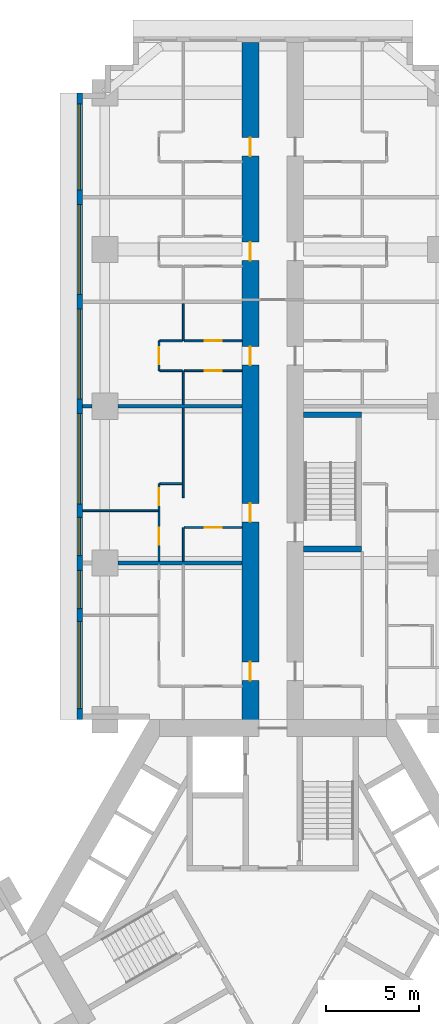
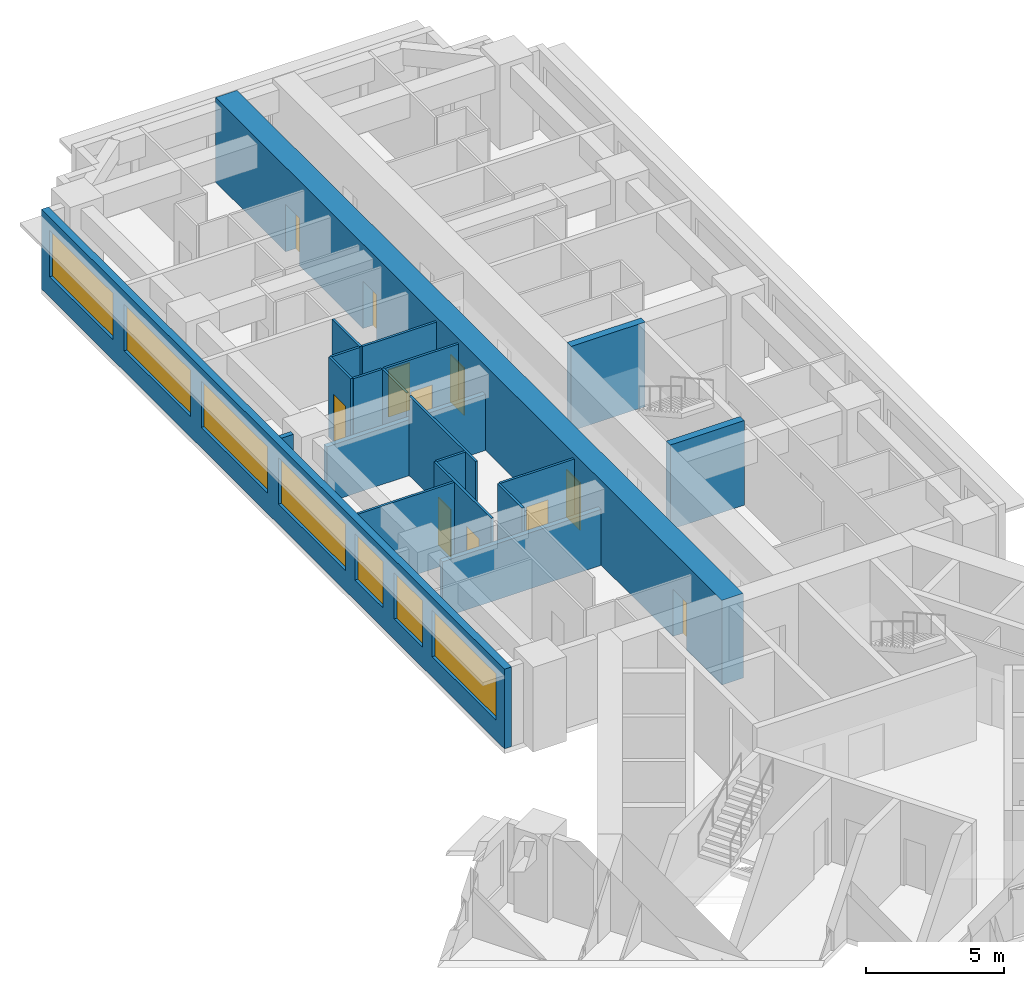
# One storey, part 9 of 16: 20 walls, 11 doors, 7 windows, 18 openings.
"""IFC4 building model written with IfcOpenShell, lengths in metres."""

from ifc_helpers import new_model, si_unit, direction, frame, frame_2d, origin, place, context, subcontext, project, spatial, rectangle, extrude, material, layer, layer_set, type_object, element, fill, save


model = new_model("IFC4")

# Units and contexts
model_context = context("Model", 3, precision=1e-05, world=origin(), true_north=direction((0.0, 1.0)))
body_context = subcontext(model_context, "Body", "Model", "MODEL_VIEW")
ifc_project = project(units=[si_unit("LENGTHUNIT", "METRE"), si_unit("AREAUNIT", "SQUARE_METRE"), si_unit("VOLUMEUNIT", "CUBIC_METRE"), si_unit("PLANEANGLEUNIT", "RADIAN"), si_unit("MASSUNIT", "GRAM", prefix="KILO")], contexts=[model_context])

# Site, building, storey
site_placement = place(None, origin())
site = spatial("IfcSite", under=ifc_project, at=site_placement, CompositionType="ELEMENT")
building_placement = place(site_placement, origin())
building = spatial("IfcBuilding", under=site, at=building_placement, Name="Impinga Residences", CompositionType="ELEMENT")
storey_placement = place(building_placement, frame((0.0, 0.0, 56.0)))
storey = spatial("IfcBuildingStorey", under=building, at=storey_placement, Name="L13", CompositionType="ELEMENT", Elevation=56.0)

# Wall, openings, doors
ifc_material_1 = material(Name="Concrete C70/85", Category="concrete")
ifc_layer_1 = layer(ifc_material_1, 0.89990234375)
ifc_layer_set_1 = layer_set([ifc_layer_1], Name="Concrete C70/85")
wall_type_1 = type_object("IfcWallType", Name="BW1 corridor buttress wall, L05 to L22 900", PredefinedType="SHEAR", material=ifc_layer_set_1)
wall_1_placement = place(storey_placement, frame((-1.199951171875, 10.9814453125, 0.0), z_axis=(0.0, 0.0, 1.0), x_axis=(0.0, 1.0, 0.0)))
wall_1 = element("IfcWall", 1, at=wall_1_placement, inside=storey, type_object=wall_type_1, Name="Corridor wall BW1 NC L13", PredefinedType="SHEAR", context=body_context, shape_type="SweptSolid", body=[
    extrude(rectangle(XDim=36.75, YDim=0.89990234375, at=frame_2d((18.375, 0.0))), origin(), (0.0, 0.0, 1.0), 3.75),
])
opening_1_placement = place(wall_1_placement, frame((2.550048828125, 0.0, 0.0)))
opening_1 = element("IfcOpeningElement", 2, at=opening_1_placement, cuts=wall_1, Name="Opening D1", PredefinedType="OPENING", context=body_context, shape_type="SweptSolid", body=[
    extrude(rectangle(XDim=1.0, YDim=2.10009765625, at=frame_2d((0.5, 1.050048828125))), frame((0.0, 0.4599609375, 0.0), z_axis=(0.0, -1.0, 0.0), x_axis=(1.0, 0.0, 0.0)), (0.0, 0.0, 1.0), 0.919921875),
])
opening_2_placement = place(wall_1_placement, frame((11.050048828125, 0.0, 0.0)))
opening_2 = element("IfcOpeningElement", 3, at=opening_2_placement, cuts=wall_1, Name="Opening D1", PredefinedType="OPENING", context=body_context, shape_type="SweptSolid", body=[
    extrude(rectangle(XDim=1.0, YDim=2.10009765625, at=frame_2d((0.5, 1.050048828125))), frame((0.0, 0.4599609375, 0.0), z_axis=(0.0, -1.0, 0.0), x_axis=(1.0, 0.0, 0.0)), (0.0, 0.0, 1.0), 0.919921875),
])
opening_3_placement = place(wall_1_placement, frame((19.449951171875, 0.0, 0.0)))
opening_3 = element("IfcOpeningElement", 4, at=opening_3_placement, cuts=wall_1, Name="Opening D1", PredefinedType="OPENING", context=body_context, shape_type="SweptSolid", body=[
    extrude(rectangle(XDim=1.0, YDim=2.10009765625, at=frame_2d((0.5, 1.050048828125))), frame((0.0, 0.4599609375, 0.0), z_axis=(0.0, -1.0, 0.0), x_axis=(1.0, 0.0, 0.0)), (0.0, 0.0, 1.0), 0.919921875),
])
opening_4_placement = place(wall_1_placement, frame((25.050048828125, 0.0, 0.0)))
opening_4 = element("IfcOpeningElement", 5, at=opening_4_placement, cuts=wall_1, Name="Opening D1", PredefinedType="OPENING", context=body_context, shape_type="SweptSolid", body=[
    extrude(rectangle(XDim=1.0, YDim=2.10009765625, at=frame_2d((0.5, 1.050048828125))), frame((0.0, 0.4599609375, 0.0), z_axis=(0.0, -1.0, 0.0), x_axis=(1.0, 0.0, 0.0)), (0.0, 0.0, 1.0), 0.919921875),
])
opening_5_placement = place(wall_1_placement, frame((30.64990234375, 0.0, 0.0)))
opening_5 = element("IfcOpeningElement", 6, at=opening_5_placement, cuts=wall_1, Name="Opening D1", PredefinedType="OPENING", context=body_context, shape_type="SweptSolid", body=[
    extrude(rectangle(XDim=1.0, YDim=2.10009765625, at=frame_2d((0.5, 1.050048828125))), frame((0.0, 0.4599609375, 0.0), z_axis=(0.0, -1.0, 0.0), x_axis=(1.0, 0.0, 0.0)), (0.0, 0.0, 1.0), 0.919921875),
])
ifc_material_2 = material(Name="Timber door set", Category="wood")
door_type_1 = type_object("IfcDoorType", Name="D1 apartment entrance door 1000x2100", OperationType="SINGLE_SWING_LEFT", PredefinedType="DOOR", material=ifc_material_2)
door_1_placement = place(opening_1_placement, origin())
door_1 = element("IfcDoor", 7, at=door_1_placement, inside=storey, type_object=door_type_1, Name="Apartment L13-NA1 entrance", OperationType="SINGLE_SWING_LEFT", OverallHeight=2.10009765625, OverallWidth=1.0, PredefinedType="DOOR", context=body_context, shape_type="SweptSolid", body=[
    extrude(rectangle(XDim=1.0, YDim=2.10009765625, at=frame_2d((0.5, 1.050048828125))), frame((0.0, 0.02490234375, 0.0), z_axis=(0.0, -1.0, 0.0), x_axis=(1.0, 0.0, 0.0)), (0.0, 0.0, 1.0), 0.050048828125),
])
fill(opening_1, door_1)
door_2_placement = place(opening_2_placement, origin())
door_2 = element("IfcDoor", 8, at=door_2_placement, inside=storey, type_object=door_type_1, Name="Apartment L13-NA2 entrance", OperationType="SINGLE_SWING_LEFT", OverallHeight=2.10009765625, OverallWidth=1.0, PredefinedType="DOOR", context=body_context, shape_type="SweptSolid", body=[
    extrude(rectangle(XDim=1.0, YDim=2.10009765625, at=frame_2d((0.5, 1.050048828125))), frame((0.0, 0.02490234375, 0.0), z_axis=(0.0, -1.0, 0.0), x_axis=(1.0, 0.0, 0.0)), (0.0, 0.0, 1.0), 0.050048828125),
])
fill(opening_2, door_2)
door_3_placement = place(opening_3_placement, origin())
door_3 = element("IfcDoor", 9, at=door_3_placement, inside=storey, type_object=door_type_1, Name="Apartment L13-NA3 entrance", OperationType="SINGLE_SWING_RIGHT", OverallHeight=2.10009765625, OverallWidth=1.0, PredefinedType="DOOR", context=body_context, shape_type="SweptSolid", body=[
    extrude(rectangle(XDim=1.0, YDim=2.10009765625, at=frame_2d((0.5, 1.050048828125))), frame((0.0, 0.02490234375, 0.0), z_axis=(0.0, -1.0, 0.0), x_axis=(1.0, 0.0, 0.0)), (0.0, 0.0, 1.0), 0.050048828125),
])
fill(opening_3, door_3)
door_4_placement = place(opening_4_placement, origin())
door_4 = element("IfcDoor", 10, at=door_4_placement, inside=storey, type_object=door_type_1, Name="Apartment L13-NA4 entrance", OperationType="SINGLE_SWING_RIGHT", OverallHeight=2.10009765625, OverallWidth=1.0, PredefinedType="DOOR", context=body_context, shape_type="SweptSolid", body=[
    extrude(rectangle(XDim=1.0, YDim=2.10009765625, at=frame_2d((0.5, 1.050048828125))), frame((0.0, 0.02490234375, 0.0), z_axis=(0.0, -1.0, 0.0), x_axis=(1.0, 0.0, 0.0)), (0.0, 0.0, 1.0), 0.050048828125),
])
fill(opening_4, door_4)
door_5_placement = place(opening_5_placement, origin())
door_5 = element("IfcDoor", 11, at=door_5_placement, inside=storey, type_object=door_type_1, Name="Apartment L13-NA5 entrance", OperationType="SINGLE_SWING_RIGHT", OverallHeight=2.10009765625, OverallWidth=1.0, PredefinedType="DOOR", context=body_context, shape_type="SweptSolid", body=[
    extrude(rectangle(XDim=1.0, YDim=2.10009765625, at=frame_2d((0.5, 1.050048828125))), frame((0.0, 0.02490234375, 0.0), z_axis=(0.0, -1.0, 0.0), x_axis=(1.0, 0.0, 0.0)), (0.0, 0.0, 1.0), 0.050048828125),
])
fill(opening_5, door_5)

# Wall, openings, windows
ifc_material_3 = material(Name="Terracotta rainscreen on blockwork", Category="masonry")
ifc_layer_2 = layer(ifc_material_3, 0.300048828125)
ifc_layer_set_2 = layer_set([ifc_layer_2], Name="EW1 external wall, terracotta rainscreen on blockwork 300")
wall_type_2 = type_object("IfcWallType", Name="EW1 external wall, terracotta rainscreen on blockwork 300", PredefinedType="SOLIDWALL", material=ifc_layer_set_2)
wall_2_placement = place(storey_placement, frame((-10.35009765625, 11.431640625, 0.0), z_axis=(0.0, 0.0, 1.0), x_axis=(0.0, 1.0, 0.0)))
wall_2 = element("IfcWall", 12, at=wall_2_placement, inside=storey, type_object=wall_type_2, Name="External wall EW1 L13", PredefinedType="SOLIDWALL", context=body_context, shape_type="SweptSolid", body=[
    extrude(rectangle(XDim=33.599853515625, YDim=0.300048828125, at=frame_2d((16.7998046875, 0.0))), origin(), (0.0, 0.0, 1.0), 3.530029296875),
])
opening_6_placement = place(wall_2_placement, frame((0.60009765625, 0.0, 0.89990234375)))
opening_6 = element("IfcOpeningElement", 13, at=opening_6_placement, cuts=wall_2, Name="Opening W10", PredefinedType="OPENING", context=body_context, shape_type="SweptSolid", body=[
    extrude(rectangle(XDim=4.64990234375, YDim=2.050048828125, at=frame_2d((2.324951171875, 1.02490234375))), frame((0.0, 0.159912109375, 0.0), z_axis=(0.0, -1.0, 0.0), x_axis=(1.0, 0.0, 0.0)), (0.0, 0.0, 1.0), 0.320068359375),
])
opening_7_placement = place(wall_2_placement, frame((5.949951171875, 0.0, 0.89990234375)))
opening_7 = element("IfcOpeningElement", 14, at=opening_7_placement, cuts=wall_2, Name="Opening W14", PredefinedType="OPENING", context=body_context, shape_type="SweptSolid", body=[
    extrude(rectangle(XDim=2.050048828125, YDim=2.050048828125, at=frame_2d((1.02490234375, 1.02490234375))), frame((0.0, 0.159912109375, 0.0), z_axis=(0.0, -1.0, 0.0), x_axis=(1.0, 0.0, 0.0)), (0.0, 0.0, 1.0), 0.320068359375),
])
opening_8_placement = place(wall_2_placement, frame((8.800048828125, 0.0, 0.89990234375)))
opening_8 = element("IfcOpeningElement", 15, at=opening_8_placement, cuts=wall_2, Name="Opening W14", PredefinedType="OPENING", context=body_context, shape_type="SweptSolid", body=[
    extrude(rectangle(XDim=2.050048828125, YDim=2.050048828125, at=frame_2d((1.02490234375, 1.02490234375))), frame((0.0, 0.159912109375, 0.0), z_axis=(0.0, -1.0, 0.0), x_axis=(1.0, 0.0, 0.0)), (0.0, 0.0, 1.0), 0.320068359375),
])
opening_9_placement = place(wall_2_placement, frame((11.550048828125, 0.0, 0.89990234375)))
opening_9 = element("IfcOpeningElement", 16, at=opening_9_placement, cuts=wall_2, Name="Opening W6", PredefinedType="OPENING", context=body_context, shape_type="SweptSolid", body=[
    extrude(rectangle(XDim=4.85009765625, YDim=2.050048828125, at=frame_2d((2.425048828125, 1.02490234375))), frame((0.0, 0.159912109375, 0.0), z_axis=(0.0, -1.0, 0.0), x_axis=(1.0, 0.0, 0.0)), (0.0, 0.0, 1.0), 0.320068359375),
])
opening_10_placement = place(wall_2_placement, frame((17.199951171875, 0.0, 0.89990234375)))
opening_10 = element("IfcOpeningElement", 17, at=opening_10_placement, cuts=wall_2, Name="Opening W8", PredefinedType="OPENING", context=body_context, shape_type="SweptSolid", body=[
    extrude(rectangle(XDim=4.800048828125, YDim=2.050048828125, at=frame_2d((2.39990234375, 1.02490234375))), frame((0.0, 0.159912109375, 0.0), z_axis=(0.0, -1.0, 0.0), x_axis=(1.0, 0.0, 0.0)), (0.0, 0.0, 1.0), 0.320068359375),
])
opening_11_placement = place(wall_2_placement, frame((22.800048828125, 0.0, 0.89990234375)))
opening_11 = element("IfcOpeningElement", 18, at=opening_11_placement, cuts=wall_2, Name="Opening W8", PredefinedType="OPENING", context=body_context, shape_type="SweptSolid", body=[
    extrude(rectangle(XDim=4.800048828125, YDim=2.050048828125, at=frame_2d((2.39990234375, 1.02490234375))), frame((0.0, 0.159912109375, 0.0), z_axis=(0.0, -1.0, 0.0), x_axis=(1.0, 0.0, 0.0)), (0.0, 0.0, 1.0), 0.320068359375),
])
opening_12_placement = place(wall_2_placement, frame((28.39990234375, 0.0, 0.89990234375)))
opening_12 = element("IfcOpeningElement", 19, at=opening_12_placement, cuts=wall_2, Name="Opening W3", PredefinedType="OPENING", context=body_context, shape_type="SweptSolid", body=[
    extrude(rectangle(XDim=4.60009765625, YDim=2.050048828125, at=frame_2d((2.300048828125, 1.02490234375))), frame((0.0, 0.159912109375, 0.0), z_axis=(0.0, -1.0, 0.0), x_axis=(1.0, 0.0, 0.0)), (0.0, 0.0, 1.0), 0.320068359375),
])
ifc_material_4 = material(Name="Aluminium window, clear double glazing", Category="aluminium")
window_type_1 = type_object("IfcWindowType", Name="W10 ribbon window 4650x2050", PartitioningType="SINGLE_PANEL", PredefinedType="WINDOW", material=ifc_material_4)
window_1_placement = place(opening_6_placement, origin())
window_1 = element("IfcWindow", 20, at=window_1_placement, inside=storey, type_object=window_type_1, Name="Window L13", OverallHeight=2.050048828125, OverallWidth=4.64990234375, PartitioningType="SINGLE_PANEL", PredefinedType="WINDOW", context=body_context, shape_type="SweptSolid", body=[
    extrude(rectangle(XDim=4.64990234375, YDim=2.050048828125, at=frame_2d((2.324951171875, 1.02490234375))), frame((0.0, 0.030029296875, 0.0), z_axis=(0.0, -1.0, 0.0), x_axis=(1.0, 0.0, 0.0)), (0.0, 0.0, 1.0), 0.06005859375),
])
fill(opening_6, window_1)
window_type_2 = type_object("IfcWindowType", Name="W14 ribbon window 2050x2050", PartitioningType="SINGLE_PANEL", PredefinedType="WINDOW", material=ifc_material_4)
window_2_placement = place(opening_7_placement, origin())
window_2 = element("IfcWindow", 21, at=window_2_placement, inside=storey, type_object=window_type_2, Name="Window L13", OverallHeight=2.050048828125, OverallWidth=2.050048828125, PartitioningType="SINGLE_PANEL", PredefinedType="WINDOW", context=body_context, shape_type="SweptSolid", body=[
    extrude(rectangle(XDim=2.050048828125, YDim=2.050048828125, at=frame_2d((1.02490234375, 1.02490234375))), frame((0.0, 0.030029296875, 0.0), z_axis=(0.0, -1.0, 0.0), x_axis=(1.0, 0.0, 0.0)), (0.0, 0.0, 1.0), 0.06005859375),
])
fill(opening_7, window_2)
window_3_placement = place(opening_8_placement, origin())
window_3 = element("IfcWindow", 22, at=window_3_placement, inside=storey, type_object=window_type_2, Name="Window L13", OverallHeight=2.050048828125, OverallWidth=2.050048828125, PartitioningType="SINGLE_PANEL", PredefinedType="WINDOW", context=body_context, shape_type="SweptSolid", body=[
    extrude(rectangle(XDim=2.050048828125, YDim=2.050048828125, at=frame_2d((1.02490234375, 1.02490234375))), frame((0.0, 0.030029296875, 0.0), z_axis=(0.0, -1.0, 0.0), x_axis=(1.0, 0.0, 0.0)), (0.0, 0.0, 1.0), 0.06005859375),
])
fill(opening_8, window_3)
window_type_3 = type_object("IfcWindowType", Name="W3 ribbon window 4600x2050", PartitioningType="SINGLE_PANEL", PredefinedType="WINDOW", material=ifc_material_4)
window_4_placement = place(opening_12_placement, origin())
window_4 = element("IfcWindow", 23, at=window_4_placement, inside=storey, type_object=window_type_3, Name="Window L13", OverallHeight=2.050048828125, OverallWidth=4.60009765625, PartitioningType="SINGLE_PANEL", PredefinedType="WINDOW", context=body_context, shape_type="SweptSolid", body=[
    extrude(rectangle(XDim=4.60009765625, YDim=2.050048828125, at=frame_2d((2.300048828125, 1.02490234375))), frame((0.0, 0.030029296875, 0.0), z_axis=(0.0, -1.0, 0.0), x_axis=(1.0, 0.0, 0.0)), (0.0, 0.0, 1.0), 0.06005859375),
])
fill(opening_12, window_4)
window_type_4 = type_object("IfcWindowType", Name="W6 ribbon window 4850x2050", PartitioningType="SINGLE_PANEL", PredefinedType="WINDOW", material=ifc_material_4)
window_5_placement = place(opening_9_placement, origin())
window_5 = element("IfcWindow", 24, at=window_5_placement, inside=storey, type_object=window_type_4, Name="Window L13", OverallHeight=2.050048828125, OverallWidth=4.85009765625, PartitioningType="SINGLE_PANEL", PredefinedType="WINDOW", context=body_context, shape_type="SweptSolid", body=[
    extrude(rectangle(XDim=4.85009765625, YDim=2.050048828125, at=frame_2d((2.425048828125, 1.02490234375))), frame((0.0, 0.030029296875, 0.0), z_axis=(0.0, -1.0, 0.0), x_axis=(1.0, 0.0, 0.0)), (0.0, 0.0, 1.0), 0.06005859375),
])
fill(opening_9, window_5)
window_type_5 = type_object("IfcWindowType", Name="W8 ribbon window 4800x2050", PartitioningType="SINGLE_PANEL", PredefinedType="WINDOW", material=ifc_material_4)
window_6_placement = place(opening_10_placement, origin())
window_6 = element("IfcWindow", 25, at=window_6_placement, inside=storey, type_object=window_type_5, Name="Window L13", OverallHeight=2.050048828125, OverallWidth=4.800048828125, PartitioningType="SINGLE_PANEL", PredefinedType="WINDOW", context=body_context, shape_type="SweptSolid", body=[
    extrude(rectangle(XDim=4.800048828125, YDim=2.050048828125, at=frame_2d((2.39990234375, 1.02490234375))), frame((0.0, 0.030029296875, 0.0), z_axis=(0.0, -1.0, 0.0), x_axis=(1.0, 0.0, 0.0)), (0.0, 0.0, 1.0), 0.06005859375),
])
fill(opening_10, window_6)
window_7_placement = place(opening_11_placement, origin())
window_7 = element("IfcWindow", 26, at=window_7_placement, inside=storey, type_object=window_type_5, Name="Window L13", OverallHeight=2.050048828125, OverallWidth=4.800048828125, PartitioningType="SINGLE_PANEL", PredefinedType="WINDOW", context=body_context, shape_type="SweptSolid", body=[
    extrude(rectangle(XDim=4.800048828125, YDim=2.050048828125, at=frame_2d((2.39990234375, 1.02490234375))), frame((0.0, 0.030029296875, 0.0), z_axis=(0.0, -1.0, 0.0), x_axis=(1.0, 0.0, 0.0)), (0.0, 0.0, 1.0), 0.06005859375),
])
fill(opening_11, window_7)

# Walls
ifc_material_5 = material(Name="Gypsum board on steel studs", Category="steel")
ifc_layer_3 = layer(ifc_material_5, 0.10009765625)
ifc_layer_set_3 = layer_set([ifc_layer_3], Name="Gypsum board on steel studs")
wall_type_3 = type_object("IfcWallType", Name="IP1 partition 100", PredefinedType="PARTITIONING", material=ifc_layer_set_3)
wall_3_placement = place(storey_placement, frame((-4.800048828125, 19.931640625, 0.0), z_axis=(0.0, 0.0, 1.0), x_axis=(0.0, 1.0, 0.0)))
element("IfcWall", 27, at=wall_3_placement, inside=storey, type_object=wall_type_3, Name="Partition L13-NA2:DIV0", PredefinedType="PARTITIONING", context=body_context, shape_type="SweptSolid", body=[
    extrude(rectangle(XDim=1.7998046875, YDim=0.10009765625, at=frame_2d((0.89990234375, 0.0))), origin(), (0.0, 0.0, 1.0), 3.530029296875),
])
wall_4_placement = place(storey_placement, frame((-4.800048828125, 23.33154296875, 0.0), z_axis=(0.0, 0.0, 1.0), x_axis=(0.0, 1.0, 0.0)))
element("IfcWall", 28, at=wall_4_placement, inside=storey, type_object=wall_type_3, Name="Partition L13-NA2:DIV1", PredefinedType="PARTITIONING", context=body_context, shape_type="SweptSolid", body=[
    extrude(rectangle(XDim=4.800048828125, YDim=0.10009765625, at=frame_2d((2.39990234375, 0.0))), origin(), (0.0, 0.0, 1.0), 3.530029296875),
])

# Wall, openings, doors
wall_5_placement = place(storey_placement, frame((-6.10009765625, 19.931640625, 0.0), z_axis=(0.0, 0.0, 1.0), x_axis=(0.0, 1.0, 0.0)))
wall_5 = element("IfcWall", 29, at=wall_5_placement, inside=storey, type_object=wall_type_3, Name="Partition L13-NA2:STRIP", PredefinedType="PARTITIONING", context=body_context, shape_type="SweptSolid", body=[
    extrude(rectangle(XDim=4.14990234375, YDim=0.10009765625, at=frame_2d((2.074951171875, 0.0))), origin(), (0.0, 0.0, 1.0), 3.530029296875),
])
opening_13_placement = place(wall_5_placement, frame((0.875, 0.0, 0.0)))
opening_13 = element("IfcOpeningElement", 30, at=opening_13_placement, cuts=wall_5, Name="Opening D2", PredefinedType="OPENING", context=body_context, shape_type="SweptSolid", body=[
    extrude(rectangle(XDim=0.89990234375, YDim=2.10009765625, at=frame_2d((0.449951171875, 1.050048828125))), frame((0.0, 0.06005859375, 0.0), z_axis=(0.0, -1.0, 0.0), x_axis=(1.0, 0.0, 0.0)), (0.0, 0.0, 1.0), 0.1201171875),
])
opening_14_placement = place(wall_5_placement, frame((3.0, 0.0, 0.0)))
opening_14 = element("IfcOpeningElement", 31, at=opening_14_placement, cuts=wall_5, Name="Opening D2", PredefinedType="OPENING", context=body_context, shape_type="SweptSolid", body=[
    extrude(rectangle(XDim=0.89990234375, YDim=2.10009765625, at=frame_2d((0.449951171875, 1.050048828125))), frame((0.0, 0.06005859375, 0.0), z_axis=(0.0, -1.0, 0.0), x_axis=(1.0, 0.0, 0.0)), (0.0, 0.0, 1.0), 0.1201171875),
])
door_type_2 = type_object("IfcDoorType", Name="D2 internal door 900x2100", OperationType="SINGLE_SWING_LEFT", PredefinedType="DOOR", material=ifc_material_2)
door_6_placement = place(opening_13_placement, origin())
door_6 = element("IfcDoor", 32, at=door_6_placement, inside=storey, type_object=door_type_2, Name="Apartment L13-NA2 room door", OperationType="SINGLE_SWING_LEFT", OverallHeight=2.10009765625, OverallWidth=0.89990234375, PredefinedType="DOOR", context=body_context, shape_type="SweptSolid", body=[
    extrude(rectangle(XDim=0.89990234375, YDim=2.10009765625, at=frame_2d((0.449951171875, 1.050048828125))), frame((0.0, 0.02490234375, 0.0), z_axis=(0.0, -1.0, 0.0), x_axis=(1.0, 0.0, 0.0)), (0.0, 0.0, 1.0), 0.050048828125),
])
fill(opening_13, door_6)
door_7_placement = place(opening_14_placement, origin())
door_7 = element("IfcDoor", 33, at=door_7_placement, inside=storey, type_object=door_type_2, Name="Apartment L13-NA2 room door", OperationType="SINGLE_SWING_RIGHT", OverallHeight=2.10009765625, OverallWidth=0.89990234375, PredefinedType="DOOR", context=body_context, shape_type="SweptSolid", body=[
    extrude(rectangle(XDim=0.89990234375, YDim=2.10009765625, at=frame_2d((0.449951171875, 1.050048828125))), frame((0.0, 0.02490234375, 0.0), z_axis=(0.0, -1.0, 0.0), x_axis=(1.0, 0.0, 0.0)), (0.0, 0.0, 1.0), 0.050048828125),
])
fill(opening_14, door_7)

# Wall
wall_6_placement = place(storey_placement, frame((-4.85009765625, 24.08154296875, 0.0), z_axis=(0.0, 0.0, 1.0), x_axis=(-1.0, 0.0, 0.0)))
element("IfcWall", 34, at=wall_6_placement, inside=storey, type_object=wall_type_3, Name="Partition L13-NA2:SE1", PredefinedType="PARTITIONING", context=body_context, shape_type="SweptSolid", body=[
    extrude(rectangle(XDim=1.199951171875, YDim=0.10009765625, at=frame_2d((0.60009765625, 0.0))), origin(), (0.0, 0.0, 1.0), 3.530029296875),
])

# Wall, opening, door
wall_7_placement = place(storey_placement, frame((-1.64990234375, 21.7314453125, 0.0), z_axis=(0.0, 0.0, 1.0), x_axis=(-1.0, 0.0, 0.0)))
wall_7 = element("IfcWall", 35, at=wall_7_placement, inside=storey, type_object=wall_type_3, Name="Partition L13-NA2:IB1", PredefinedType="PARTITIONING", context=body_context, shape_type="SweptSolid", body=[
    extrude(rectangle(XDim=3.10009765625, YDim=0.10009765625, at=frame_2d((1.550048828125, 0.0))), origin(), (0.0, 0.0, 1.0), 3.530029296875),
])
opening_15_placement = place(wall_7_placement, frame((1.10009765625, 0.0, 0.0)))
opening_15 = element("IfcOpeningElement", 36, at=opening_15_placement, cuts=wall_7, Name="Opening D2", PredefinedType="OPENING", context=body_context, shape_type="SweptSolid", body=[
    extrude(rectangle(XDim=0.89990234375, YDim=2.10009765625, at=frame_2d((0.449951171875, 1.050048828125))), frame((0.0, 0.06005859375, 0.0), z_axis=(0.0, -1.0, 0.0), x_axis=(1.0, 0.0, 0.0)), (0.0, 0.0, 1.0), 0.1201171875),
])
door_8_placement = place(opening_15_placement, origin())
door_8 = element("IfcDoor", 37, at=door_8_placement, inside=storey, type_object=door_type_2, Name="Apartment L13-NA2 bathroom door", OperationType="SINGLE_SWING_LEFT", OverallHeight=2.10009765625, OverallWidth=0.89990234375, PredefinedType="DOOR", context=body_context, shape_type="SweptSolid", body=[
    extrude(rectangle(XDim=0.89990234375, YDim=2.10009765625, at=frame_2d((0.449951171875, 1.050048828125))), frame((0.0, 0.02490234375, 0.0), z_axis=(0.0, -1.0, 0.0), x_axis=(1.0, 0.0, 0.0)), (0.0, 0.0, 1.0), 0.050048828125),
])
fill(opening_15, door_8)

# Walls
wall_8_placement = place(storey_placement, frame((-6.14990234375, 22.631591796875, 0.0), z_axis=(0.0, 0.0, 1.0), x_axis=(-1.0, 0.0, 0.0)))
element("IfcWall", 38, at=wall_8_placement, inside=storey, type_object=wall_type_3, Name="Partition L13-NA2:OB1", PredefinedType="PARTITIONING", context=body_context, shape_type="SweptSolid", body=[
    extrude(rectangle(XDim=4.050048828125, YDim=0.10009765625, at=frame_2d((2.02490234375, 0.0))), origin(), (0.0, 0.0, 1.0), 3.530029296875),
])
wall_9_placement = place(storey_placement, frame((-4.800048828125, 28.33154296875, 0.0), z_axis=(0.0, 0.0, 1.0), x_axis=(0.0, 1.0, 0.0)))
element("IfcWall", 39, at=wall_9_placement, inside=storey, type_object=wall_type_3, Name="Partition L13-NA3:DIV0", PredefinedType="PARTITIONING", context=body_context, shape_type="SweptSolid", body=[
    extrude(rectangle(XDim=1.800048828125, YDim=0.10009765625, at=frame_2d((0.89990234375, 0.0))), origin(), (0.0, 0.0, 1.0), 3.530029296875),
])
wall_10_placement = place(storey_placement, frame((-4.800048828125, 31.7314453125, 0.0), z_axis=(0.0, 0.0, 1.0), x_axis=(0.0, 1.0, 0.0)))
element("IfcWall", 40, at=wall_10_placement, inside=storey, type_object=wall_type_3, Name="Partition L13-NA3:DIV1", PredefinedType="PARTITIONING", context=body_context, shape_type="SweptSolid", body=[
    extrude(rectangle(XDim=2.0, YDim=0.10009765625, at=frame_2d((1.0, 0.0))), origin(), (0.0, 0.0, 1.0), 3.530029296875),
])

# Wall, opening, door
wall_11_placement = place(storey_placement, frame((-6.10009765625, 30.131591796875, 0.0), z_axis=(0.0, 0.0, 1.0), x_axis=(0.0, 1.0, 0.0)))
wall_11 = element("IfcWall", 41, at=wall_11_placement, inside=storey, type_object=wall_type_3, Name="Partition L13-NA3:STRIP", PredefinedType="PARTITIONING", context=body_context, shape_type="SweptSolid", body=[
    extrude(rectangle(XDim=1.599853515625, YDim=0.10009765625, at=frame_2d((0.7998046875, 0.0))), origin(), (0.0, 0.0, 1.0), 3.530029296875),
])
opening_16_placement = place(wall_11_placement, frame((0.35009765625, 0.0, 0.0)))
opening_16 = element("IfcOpeningElement", 42, at=opening_16_placement, cuts=wall_11, Name="Opening D2", PredefinedType="OPENING", context=body_context, shape_type="SweptSolid", body=[
    extrude(rectangle(XDim=0.89990234375, YDim=2.10009765625, at=frame_2d((0.449951171875, 1.050048828125))), frame((0.0, 0.06005859375, 0.0), z_axis=(0.0, -1.0, 0.0), x_axis=(1.0, 0.0, 0.0)), (0.0, 0.0, 1.0), 0.1201171875),
])
door_9_placement = place(opening_16_placement, origin())
door_9 = element("IfcDoor", 43, at=door_9_placement, inside=storey, type_object=door_type_2, Name="Apartment L13-NA3 room door", OperationType="SINGLE_SWING_LEFT", OverallHeight=2.10009765625, OverallWidth=0.89990234375, PredefinedType="DOOR", context=body_context, shape_type="SweptSolid", body=[
    extrude(rectangle(XDim=0.89990234375, YDim=2.10009765625, at=frame_2d((0.449951171875, 1.050048828125))), frame((0.0, 0.02490234375, 0.0), z_axis=(0.0, -1.0, 0.0), x_axis=(1.0, 0.0, 0.0)), (0.0, 0.0, 1.0), 0.050048828125),
])
fill(opening_16, door_9)

# Walls
for number, where, z_axis, x_axis, name in (
    (44, (-4.85009765625, 30.131591796875, 0.0), (0.0, 0.0, 1.0), (-1.0, 0.0, 0.0), "Partition L13-NA3:SE0"),
    (45, (-4.85009765625, 31.7314453125, 0.0), (0.0, 0.0, 1.0), (-1.0, 0.0, 0.0), "Partition L13-NA3:SE1"),
):
    element("IfcWall", number, at=place(storey_placement, frame(where, z_axis=z_axis, x_axis=x_axis)), inside=storey, type_object=wall_type_3, Name=name, PredefinedType="PARTITIONING", context=body_context, shape_type="SweptSolid", body=[
        extrude(rectangle(XDim=1.199951171875, YDim=0.10009765625, at=frame_2d((0.60009765625, 0.0))), origin(), (0.0, 0.0, 1.0), 3.530029296875),
    ])

# Wall, opening, door
wall_12_placement = place(storey_placement, frame((-1.64990234375, 30.131591796875, 0.0), z_axis=(0.0, 0.0, 1.0), x_axis=(-1.0, 0.0, 0.0)))
wall_12 = element("IfcWall", 46, at=wall_12_placement, inside=storey, type_object=wall_type_3, Name="Partition L13-NA3:IB1", PredefinedType="PARTITIONING", context=body_context, shape_type="SweptSolid", body=[
    extrude(rectangle(XDim=3.10009765625, YDim=0.10009765625, at=frame_2d((1.550048828125, 0.0))), origin(), (0.0, 0.0, 1.0), 3.530029296875),
])
opening_17_placement = place(wall_12_placement, frame((1.10009765625, 0.0, 0.0)))
opening_17 = element("IfcOpeningElement", 47, at=opening_17_placement, cuts=wall_12, Name="Opening D2", PredefinedType="OPENING", context=body_context, shape_type="SweptSolid", body=[
    extrude(rectangle(XDim=0.89990234375, YDim=2.10009765625, at=frame_2d((0.449951171875, 1.050048828125))), frame((0.0, 0.06005859375, 0.0), z_axis=(0.0, -1.0, 0.0), x_axis=(1.0, 0.0, 0.0)), (0.0, 0.0, 1.0), 0.1201171875),
])
door_10_placement = place(opening_17_placement, origin())
door_10 = element("IfcDoor", 48, at=door_10_placement, inside=storey, type_object=door_type_2, Name="Apartment L13-NA3 bathroom door", OperationType="SINGLE_SWING_LEFT", OverallHeight=2.10009765625, OverallWidth=0.89990234375, PredefinedType="DOOR", context=body_context, shape_type="SweptSolid", body=[
    extrude(rectangle(XDim=0.89990234375, YDim=2.10009765625, at=frame_2d((0.449951171875, 1.050048828125))), frame((0.0, 0.02490234375, 0.0), z_axis=(0.0, -1.0, 0.0), x_axis=(1.0, 0.0, 0.0)), (0.0, 0.0, 1.0), 0.050048828125),
])
fill(opening_17, door_10)

wall_13_placement = place(storey_placement, frame((-1.64990234375, 31.7314453125, 0.0), z_axis=(0.0, 0.0, 1.0), x_axis=(-1.0, 0.0, 0.0)))
wall_13 = element("IfcWall", 49, at=wall_13_placement, inside=storey, type_object=wall_type_3, Name="Partition L13-NA3:IB2", PredefinedType="PARTITIONING", context=body_context, shape_type="SweptSolid", body=[
    extrude(rectangle(XDim=3.10009765625, YDim=0.10009765625, at=frame_2d((1.550048828125, 0.0))), origin(), (0.0, 0.0, 1.0), 3.530029296875),
])
opening_18_placement = place(wall_13_placement, frame((1.10009765625, 0.0, 0.0)))
opening_18 = element("IfcOpeningElement", 50, at=opening_18_placement, cuts=wall_13, Name="Opening D2", PredefinedType="OPENING", context=body_context, shape_type="SweptSolid", body=[
    extrude(rectangle(XDim=0.89990234375, YDim=2.10009765625, at=frame_2d((0.449951171875, 1.050048828125))), frame((0.0, 0.06005859375, 0.0), z_axis=(0.0, -1.0, 0.0), x_axis=(1.0, 0.0, 0.0)), (0.0, 0.0, 1.0), 0.1201171875),
])
door_11_placement = place(opening_18_placement, origin())
door_11 = element("IfcDoor", 51, at=door_11_placement, inside=storey, type_object=door_type_2, Name="Apartment L13-NA3 WC door", OperationType="SINGLE_SWING_LEFT", OverallHeight=2.10009765625, OverallWidth=0.89990234375, PredefinedType="DOOR", context=body_context, shape_type="SweptSolid", body=[
    extrude(rectangle(XDim=0.89990234375, YDim=2.10009765625, at=frame_2d((0.449951171875, 1.050048828125))), frame((0.0, 0.02490234375, 0.0), z_axis=(0.0, -1.0, 0.0), x_axis=(1.0, 0.0, 0.0)), (0.0, 0.0, 1.0), 0.050048828125),
])
fill(opening_18, door_11)

# Walls
ifc_material_6 = material(Name="Concrete blockwork", Category="masonry")
ifc_layer_4 = layer(ifc_material_6, 0.199951171875)
ifc_layer_set_4 = layer_set([ifc_layer_4], Name="PW1 party wall between apartments 200")
wall_type_4 = type_object("IfcWallType", Name="PW1 party wall between apartments 200", PredefinedType="SOLIDWALL", material=ifc_layer_set_4)
for number, where, z_axis, x_axis, name in (
    (52, (-1.64990234375, 19.83154296875, 0.0), (0.0, 0.0, 1.0), (-1.0, 0.0, 0.0), "Party wall between apartments L13-NA1:PARTY"),
    (53, (-1.64990234375, 28.2314453125, 0.0), (0.0, 0.0, 1.0), (-1.0, 0.0, 0.0), "Party wall between apartments L13-NA2:PARTY"),
):
    element("IfcWall", number, at=place(storey_placement, frame(where, z_axis=z_axis, x_axis=x_axis)), inside=storey, type_object=wall_type_4, Name=name, PredefinedType="SOLIDWALL", context=body_context, shape_type="SweptSolid", body=[
        extrude(rectangle(XDim=6.650146484375, YDim=0.199951171875, at=frame_2d((3.3251953125, 0.0))), origin(), (0.0, 0.0, 1.0), 2.47998046875),
    ])
wall_14_placement = place(storey_placement, frame((-9.699951171875, 28.2314453125, 0.0), z_axis=(0.0, 0.0, 1.0), x_axis=(-1.0, 0.0, 0.0)))
element("IfcWall", 54, at=wall_14_placement, inside=storey, type_object=wall_type_4, Name="Party wall between apartments L13-NA2:PARTYb", PredefinedType="SOLIDWALL", context=body_context, shape_type="SweptSolid", body=[
    extrude(rectangle(XDim=0.5, YDim=0.199951171875, at=frame_2d((0.25, 0.0))), origin(), (0.0, 0.0, 1.0), 3.530029296875),
])
ifc_material_7 = material(Name="Concrete C60/75", Category="concrete")
ifc_layer_5 = layer(ifc_material_7, 0.300048828125)
ifc_layer_set_5 = layer_set([ifc_layer_5], Name="Concrete C60/75")
wall_type_5 = type_object("IfcWallType", Name="SE1 wing stair enclosure wall 300", PredefinedType="SOLIDWALL", material=ifc_layer_set_5)
for number, where, z_axis, x_axis, name in (
    (55, (1.64990234375, 20.58154296875, 0.0), (0.0, 0.0, 1.0), (1.0, 0.0, 0.0), "Stair enclosure wall SE1 N END0 L13"),
    (56, (1.64990234375, 27.781494140625, 0.0), (0.0, 0.0, 1.0), (1.0, 0.0, 0.0), "Stair enclosure wall SE1 N END1 L13"),
):
    element("IfcWall", number, at=place(storey_placement, frame(where, z_axis=z_axis, x_axis=x_axis)), inside=storey, type_object=wall_type_5, Name=name, PredefinedType="SOLIDWALL", context=body_context, shape_type="SweptSolid", body=[
        extrude(rectangle(XDim=3.10009765625, YDim=0.300048828125, at=frame_2d((1.550048828125, 0.0))), origin(), (0.0, 0.0, 1.0), 3.75),
    ])

save(model, "model.ifc")
